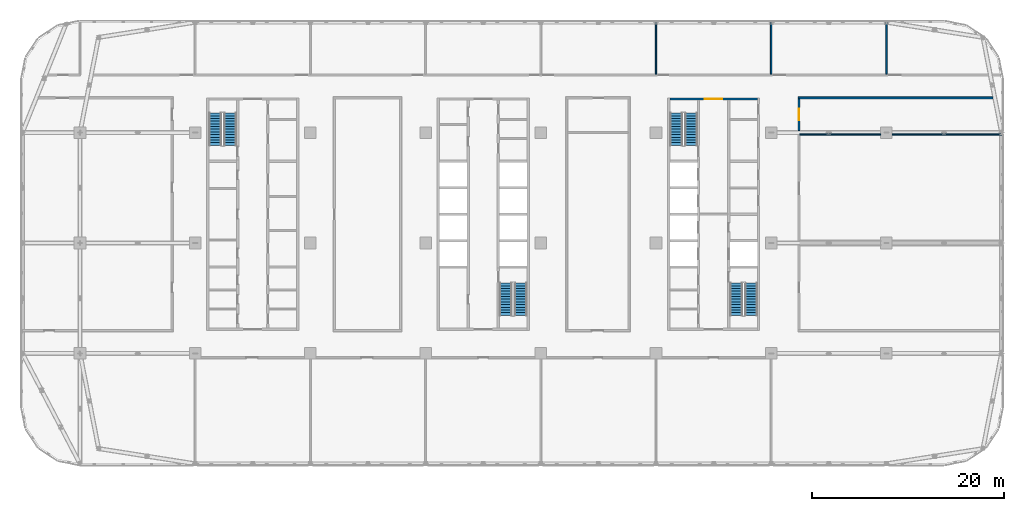
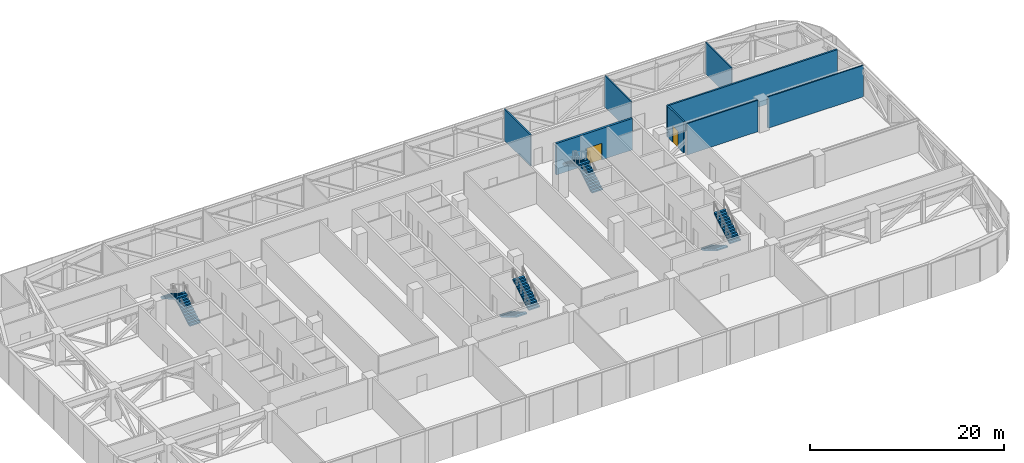
# One storey, part 13 of 26: 8 stair flights, 8 walls, 2 doors, 2 openings, 4 elements without a shape of their own.
"""IFC4 building model written with IfcOpenShell, lengths in metres."""

from ifc_helpers import new_model, si_unit, direction, frame, frame_2d, origin, place, context, subcontext, project, spatial, polyline, rectangle, outline, extrude, material, layer, layer_set, type_object, element, fill, aggregate, save


model = new_model("IFC4")

# Units and contexts
model_context = context("Model", 3, precision=1e-05, world=origin(), true_north=direction((0.0, 1.0)))
body_context = subcontext(model_context, "Body", "Model", "MODEL_VIEW")
ifc_project = project(units=[si_unit("LENGTHUNIT", "METRE"), si_unit("AREAUNIT", "SQUARE_METRE"), si_unit("VOLUMEUNIT", "CUBIC_METRE"), si_unit("PLANEANGLEUNIT", "RADIAN"), si_unit("MASSUNIT", "GRAM", prefix="KILO")], contexts=[model_context])

# Site, building, storey
site_placement = place(None, origin())
site = spatial("IfcSite", under=ifc_project, at=site_placement, CompositionType="ELEMENT")
building_placement = place(site_placement, origin())
building = spatial("IfcBuilding", under=site, at=building_placement, Name="Mahtab Terrace Research Tower", CompositionType="ELEMENT")
storey_placement = place(building_placement, frame((0.0, 0.0, 189.60009765625)))
storey = spatial("IfcBuildingStorey", under=building, at=storey_placement, Name="L45", CompositionType="ELEMENT", Elevation=189.60009765625)

# Wall, opening, door
ifc_material_1 = material(Name="Concrete C70/85", Category="concrete")
ifc_layer_1 = layer(ifc_material_1, 0.25)
ifc_layer_set_1 = layer_set([ifc_layer_1], Name="Core wall 250")
wall_type_1 = type_object("IfcWallType", Name="Core wall 250", PredefinedType="SOLIDWALL", material=ifc_layer_set_1)
wall_1_placement = place(storey_placement, frame((19.449951171875, 15.0, 0.0), z_axis=(0.0, 0.0, 1.0), x_axis=(1.0, 0.0, 0.0)))
wall_1 = element("IfcWall", 1, at=wall_1_placement, inside=storey, type_object=wall_type_1, Name="Core wall C endN", PredefinedType="SOLIDWALL", context=body_context, shape_type="SweptSolid", body=[
    extrude(rectangle(XDim=9.10009765625, YDim=0.25, at=frame_2d((4.550048828125, 0.0))), origin(), (0.0, 0.0, 1.0), 3.9599609375),
])
opening_1_placement = place(wall_1_placement, frame((3.64990234375, 0.0, 0.0)))
opening_1 = element("IfcOpeningElement", 2, at=opening_1_placement, cuts=wall_1, Name="Opening C-N1", PredefinedType="OPENING", context=body_context, shape_type="SweptSolid", body=[
    extrude(rectangle(XDim=1.800048828125, YDim=2.10009765625, at=frame_2d((0.89990234375, 1.050048828125))), frame((0.0, 0.135009765625, 0.0), z_axis=(0.0, -1.0, 0.0), x_axis=(1.0, 0.0, 0.0)), (0.0, 0.0, 1.0), 0.27001953125),
])
ifc_material_2 = material(Name="Steel fire door", Category="steel")
door_type_1 = type_object("IfcDoorType", Name="Lobby double door 1800x2100 1 HR", OperationType="DOUBLE_DOOR_SINGLE_SWING", PredefinedType="DOOR", material=ifc_material_2)
door_1_placement = place(opening_1_placement, origin())
door_1 = element("IfcDoor", 3, at=door_1_placement, inside=storey, type_object=door_type_1, Name="Core entrance door C N", OperationType="DOUBLE_DOOR_SINGLE_SWING", OverallHeight=2.10009765625, OverallWidth=1.800048828125, PredefinedType="DOOR", context=body_context, shape_type="SweptSolid", body=[
    extrude(rectangle(XDim=1.800048828125, YDim=2.10009765625, at=frame_2d((0.89990234375, 1.050048828125))), frame((0.0, 0.02490234375, 0.0), z_axis=(0.0, -1.0, 0.0), x_axis=(1.0, 0.0, 0.0)), (0.0, 0.0, 1.0), 0.050048828125),
])
fill(opening_1, door_1)

# Wall
ifc_material_3 = material(Name="Gypsum board corridor wall on steel studs", Category="steel")
ifc_layer_2 = layer(ifc_material_3, 0.199951171875)
ifc_layer_set_2 = layer_set([ifc_layer_2], Name="WALL CORRIDOR 200")
wall_type_2 = type_object("IfcWallType", Name="WALL CORRIDOR 200", PredefinedType="PARTITIONING", material=ifc_layer_set_2)
wall_2_placement = place(storey_placement, frame((32.800048828125, 15.125, 0.0), z_axis=(0.0, 0.0, 1.0), x_axis=(1.0, 0.0, 0.0)))
element("IfcWall", 4, at=wall_2_placement, inside=storey, type_object=wall_type_2, Name="L45-W022", PredefinedType="PARTITIONING", context=body_context, shape_type="SweptSolid", body=[
    extrude(rectangle(XDim=20.28759765625, YDim=0.199951171875, at=frame_2d((10.143798828125, 0.0))), origin(), (0.0, 0.0, 1.0), 3.9599609375),
])

# Wall, opening, door
wall_3_placement = place(storey_placement, frame((32.89990234375, 11.699951171875, 0.0), z_axis=(0.0, 0.0, 1.0), x_axis=(0.0, 1.0, 0.0)))
wall_3 = element("IfcWall", 5, at=wall_3_placement, inside=storey, type_object=wall_type_2, Name="L45-W047", PredefinedType="PARTITIONING", context=body_context, shape_type="SweptSolid", body=[
    extrude(rectangle(XDim=3.324951171875, YDim=0.199951171875, at=frame_2d((1.66259765625, 0.0))), origin(), (0.0, 0.0, 1.0), 3.9599609375),
])
opening_2_placement = place(wall_3_placement, frame((1.10009765625, 0.0, 0.0)))
opening_2 = element("IfcOpeningElement", 6, at=opening_2_placement, cuts=wall_3, Name="Opening L45-116", PredefinedType="OPENING", context=body_context, shape_type="SweptSolid", body=[
    extrude(rectangle(XDim=1.199951171875, YDim=2.10009765625, at=frame_2d((0.60009765625, 1.050048828125))), frame((0.0, 0.10986328125, 0.0), z_axis=(0.0, -1.0, 0.0), x_axis=(1.0, 0.0, 0.0)), (0.0, 0.0, 1.0), 0.219970703125),
])
ifc_material_4 = material(Name="Timber door leaf in steel frame", Category="steel")
door_type_2 = type_object("IfcDoorType", Name="DOOR 1200X2100 FD30S", OperationType="SINGLE_SWING_LEFT", PredefinedType="DOOR", material=ifc_material_4)
door_2_placement = place(opening_2_placement, origin())
door_2 = element("IfcDoor", 7, at=door_2_placement, inside=storey, type_object=door_type_2, Name="Door L45-116", OperationType="SINGLE_SWING_LEFT", OverallHeight=2.10009765625, OverallWidth=1.199951171875, PredefinedType="DOOR", context=body_context, shape_type="SweptSolid", body=[
    extrude(rectangle(XDim=1.199951171875, YDim=2.10009765625, at=frame_2d((0.60009765625, 1.050048828125))), frame((0.0, 0.02490234375, 0.0), z_axis=(0.0, -1.0, 0.0), x_axis=(1.0, 0.0, 0.0)), (0.0, 0.0, 1.0), 0.050048828125),
])
fill(opening_2, door_2)

# Walls
ifc_material_5 = material(Name="Gypsum board partition on steel studs", Category="steel")
ifc_layer_3 = layer(ifc_material_5, 0.14990234375)
ifc_layer_set_3 = layer_set([ifc_layer_3], Name="WALL PARTITION 150")
wall_type_3 = type_object("IfcWallType", Name="WALL PARTITION 150", PredefinedType="PARTITIONING", material=ifc_layer_set_3)
wall_4_placement = place(storey_placement, frame((32.949951171875, 11.300048828125, 0.0), z_axis=(0.0, 0.0, 1.0), x_axis=(1.0, 0.0, 0.0)))
element("IfcWall", 8, at=wall_4_placement, inside=storey, type_object=wall_type_3, Name="L45-W015", PredefinedType="PARTITIONING", context=body_context, shape_type="SweptSolid", body=[
    extrude(rectangle(XDim=8.449951171875, YDim=0.14990234375, at=frame_2d((4.22509765625, 0.0))), origin(), (0.0, 0.0, 1.0), 3.9599609375),
])
wall_5_placement = place(storey_placement, frame((42.60009765625, 11.300048828125, 0.0), z_axis=(0.0, 0.0, 1.0), x_axis=(1.0, 0.0, 0.0)))
element("IfcWall", 9, at=wall_5_placement, inside=storey, type_object=wall_type_3, Name="L45-W016", PredefinedType="PARTITIONING", context=body_context, shape_type="SweptSolid", body=[
    extrude(rectangle(XDim=11.39990234375, YDim=0.14990234375, at=frame_2d((5.699951171875, 0.0))), origin(), (0.0, 0.0, 1.0), 3.9599609375),
])
for number, where, z_axis, x_axis, name in (
    (10, (18.0, 17.60009765625, 0.0), (0.0, 0.0, 1.0), (0.0, 1.0, 0.0), "L45-W042"),
    (11, (30.0, 17.60009765625, 0.0), (0.0, 0.0, 1.0), (0.0, 1.0, 0.0), "L45-W044"),
    (12, (42.0, 17.60009765625, 0.0), (0.0, 0.0, 1.0), (0.0, 1.0, 0.0), "L45-W048"),
):
    element("IfcWall", number, at=place(storey_placement, frame(where, z_axis=z_axis, x_axis=x_axis)), inside=storey, type_object=wall_type_3, Name=name, PredefinedType="PARTITIONING", context=body_context, shape_type="SweptSolid", body=[
        extrude(rectangle(XDim=5.39990234375, YDim=0.14990234375, at=frame_2d((2.699951171875, 0.0))), origin(), (0.0, 0.0, 1.0), 3.9599609375),
    ])

# Stair, stair flights
ifc_material_6 = material(Name="Exit stair half-turn")
stair_type = type_object("IfcStairType", Name="Exit stair half-turn", PredefinedType="HALF_TURN_STAIR", material=ifc_material_6)
stair_1_placement = place(storey_placement, origin())
stair_1 = element("IfcStair", 13, at=stair_1_placement, inside=storey, type_object=stair_type, Name="L45 Protected exit stair ST1", PredefinedType="HALF_TURN_STAIR")
ifc_material_7 = material(Name="Concrete C40/50", Category="concrete")
stair_flight_type = type_object("IfcStairFlightType", Name="Exit stair flight 1300", PredefinedType="STRAIGHT", material=ifc_material_7)
stair_flight_1_placement = place(storey_placement, frame((-26.35009765625, 10.175048828125, 0.0), z_axis=(0.0, 0.0, 1.0), x_axis=(0.0, 1.0, 0.0)))
stair_flight_1 = element("IfcStairFlight", 14, at=stair_flight_1_placement, type_object=stair_flight_type, Name="ST1 flight 1", NumberOfRisers=13, NumberOfTreads=12, PredefinedType="STRAIGHT", RiserHeight=0.165384615, TreadLength=0.28, context=body_context, shape_type="SweptSolid", body=[
    extrude(outline(polyline([(0.0, 0.0), (0.0, 0.165283203125), (0.280029296875, 0.165283203125), (0.280029296875, 0.330810546875), (0.56005859375, 0.330810546875), (0.56005859375, 0.49609375), (0.840087890625, 0.49609375), (0.840087890625, 0.66162109375), (1.1201171875, 0.66162109375), (1.1201171875, 0.826904296875), (1.39990234375, 0.826904296875), (1.39990234375, 0.9921875), (1.679931640625, 0.9921875), (1.679931640625, 1.15771484375), (1.9599609375, 1.15771484375), (1.9599609375, 1.322998046875), (2.239990234375, 1.322998046875), (2.239990234375, 1.488525390625), (2.52001953125, 1.488525390625), (2.52001953125, 1.65380859375), (2.800048828125, 1.65380859375), (2.800048828125, 1.8193359375), (3.080078125, 1.8193359375), (3.080078125, 1.984619140625), (3.360107421875, 1.984619140625), (3.360107421875, 2.14990234375), (3.360107421875, 1.810546875), (0.294677734375, 0.0), (0.0, 0.0)])), frame((0.0, 0.64990234375, 0.0), z_axis=(0.0, -1.0, 0.0), x_axis=(1.0, 0.0, 0.0)), (0.0, 0.0, 1.0), 1.300048828125),
])
stair_flight_2_placement = place(storey_placement, frame((-27.89990234375, 13.534912109375, 2.14990234375), z_axis=(0.0, 0.0, 1.0), x_axis=(0.0, -1.0, 0.0)))
stair_flight_2 = element("IfcStairFlight", 15, at=stair_flight_2_placement, type_object=stair_flight_type, Name="ST1 flight 2", NumberOfRisers=13, NumberOfTreads=12, PredefinedType="STRAIGHT", RiserHeight=0.165384615, TreadLength=0.28, context=body_context, shape_type="SweptSolid", body=[
    extrude(outline(polyline([(0.0, 0.0), (0.0, 0.165283203125), (0.280029296875, 0.165283203125), (0.280029296875, 0.330810546875), (0.56005859375, 0.330810546875), (0.56005859375, 0.49609375), (0.840087890625, 0.49609375), (0.840087890625, 0.66162109375), (1.1201171875, 0.66162109375), (1.1201171875, 0.826904296875), (1.39990234375, 0.826904296875), (1.39990234375, 0.9921875), (1.679931640625, 0.9921875), (1.679931640625, 1.15771484375), (1.9599609375, 1.15771484375), (1.9599609375, 1.322998046875), (2.239990234375, 1.322998046875), (2.239990234375, 1.488525390625), (2.52001953125, 1.488525390625), (2.52001953125, 1.65380859375), (2.800048828125, 1.65380859375), (2.800048828125, 1.8193359375), (3.080078125, 1.8193359375), (3.080078125, 1.984619140625), (3.360107421875, 1.984619140625), (3.360107421875, 2.14990234375), (3.360107421875, 1.810546875), (0.294677734375, 0.0), (0.0, 0.0)])), frame((0.0, 0.64990234375, 0.0), z_axis=(0.0, -1.0, 0.0), x_axis=(1.0, 0.0, 0.0)), (0.0, 0.0, 1.0), 1.300048828125),
])
aggregate(stair_1, [stair_flight_1, stair_flight_2])

stair_2_placement = place(storey_placement, origin())
stair_2 = element("IfcStair", 16, at=stair_2_placement, inside=storey, type_object=stair_type, Name="L45 Protected exit stair ST2", PredefinedType="HALF_TURN_STAIR")
stair_flight_3_placement = place(storey_placement, frame((2.35009765625, -4.175048828125, 0.0), z_axis=(0.0, 0.0, 1.0), x_axis=(0.0, -1.0, 0.0)))
stair_flight_3 = element("IfcStairFlight", 17, at=stair_flight_3_placement, type_object=stair_flight_type, Name="ST2 flight 1", NumberOfRisers=13, NumberOfTreads=12, PredefinedType="STRAIGHT", RiserHeight=0.165384615, TreadLength=0.28, context=body_context, shape_type="SweptSolid", body=[
    extrude(outline(polyline([(0.0, 0.0), (0.0, 0.165283203125), (0.280029296875, 0.165283203125), (0.280029296875, 0.330810546875), (0.56005859375, 0.330810546875), (0.56005859375, 0.49609375), (0.840087890625, 0.49609375), (0.840087890625, 0.66162109375), (1.1201171875, 0.66162109375), (1.1201171875, 0.826904296875), (1.39990234375, 0.826904296875), (1.39990234375, 0.9921875), (1.679931640625, 0.9921875), (1.679931640625, 1.15771484375), (1.9599609375, 1.15771484375), (1.9599609375, 1.322998046875), (2.239990234375, 1.322998046875), (2.239990234375, 1.488525390625), (2.52001953125, 1.488525390625), (2.52001953125, 1.65380859375), (2.800048828125, 1.65380859375), (2.800048828125, 1.8193359375), (3.080078125, 1.8193359375), (3.080078125, 1.984619140625), (3.360107421875, 1.984619140625), (3.360107421875, 2.14990234375), (3.360107421875, 1.810546875), (0.294677734375, 0.0), (0.0, 0.0)])), frame((0.0, 0.64990234375, 0.0), z_axis=(0.0, -1.0, 0.0), x_axis=(1.0, 0.0, 0.0)), (0.0, 0.0, 1.0), 1.300048828125),
])
stair_flight_4_placement = place(storey_placement, frame((3.89990234375, -7.534912109375, 2.14990234375), z_axis=(0.0, 0.0, 1.0), x_axis=(0.0, 1.0, 0.0)))
stair_flight_4 = element("IfcStairFlight", 18, at=stair_flight_4_placement, type_object=stair_flight_type, Name="ST2 flight 2", NumberOfRisers=13, NumberOfTreads=12, PredefinedType="STRAIGHT", RiserHeight=0.165384615, TreadLength=0.28, context=body_context, shape_type="SweptSolid", body=[
    extrude(outline(polyline([(0.0, 0.0), (0.0, 0.165283203125), (0.280029296875, 0.165283203125), (0.280029296875, 0.330810546875), (0.56005859375, 0.330810546875), (0.56005859375, 0.49609375), (0.840087890625, 0.49609375), (0.840087890625, 0.66162109375), (1.1201171875, 0.66162109375), (1.1201171875, 0.826904296875), (1.39990234375, 0.826904296875), (1.39990234375, 0.9921875), (1.679931640625, 0.9921875), (1.679931640625, 1.15771484375), (1.9599609375, 1.15771484375), (1.9599609375, 1.322998046875), (2.239990234375, 1.322998046875), (2.239990234375, 1.488525390625), (2.52001953125, 1.488525390625), (2.52001953125, 1.65380859375), (2.800048828125, 1.65380859375), (2.800048828125, 1.8193359375), (3.080078125, 1.8193359375), (3.080078125, 1.984619140625), (3.360107421875, 1.984619140625), (3.360107421875, 2.14990234375), (3.360107421875, 1.810546875), (0.294677734375, 0.0), (0.0, 0.0)])), frame((0.0, 0.64990234375, 0.0), z_axis=(0.0, -1.0, 0.0), x_axis=(1.0, 0.0, 0.0)), (0.0, 0.0, 1.0), 1.300048828125),
])
aggregate(stair_2, [stair_flight_3, stair_flight_4])

stair_3_placement = place(storey_placement, origin())
stair_3 = element("IfcStair", 19, at=stair_3_placement, inside=storey, type_object=stair_type, Name="L45 Protected exit stair ST3", PredefinedType="HALF_TURN_STAIR")
stair_flight_5_placement = place(storey_placement, frame((21.64990234375, 10.175048828125, 0.0), z_axis=(0.0, 0.0, 1.0), x_axis=(0.0, 1.0, 0.0)))
stair_flight_5 = element("IfcStairFlight", 20, at=stair_flight_5_placement, type_object=stair_flight_type, Name="ST3 flight 1", NumberOfRisers=13, NumberOfTreads=12, PredefinedType="STRAIGHT", RiserHeight=0.165384615, TreadLength=0.28, context=body_context, shape_type="SweptSolid", body=[
    extrude(outline(polyline([(0.0, 0.0), (0.0, 0.165283203125), (0.280029296875, 0.165283203125), (0.280029296875, 0.330810546875), (0.56005859375, 0.330810546875), (0.56005859375, 0.49609375), (0.840087890625, 0.49609375), (0.840087890625, 0.66162109375), (1.1201171875, 0.66162109375), (1.1201171875, 0.826904296875), (1.39990234375, 0.826904296875), (1.39990234375, 0.9921875), (1.679931640625, 0.9921875), (1.679931640625, 1.15771484375), (1.9599609375, 1.15771484375), (1.9599609375, 1.322998046875), (2.239990234375, 1.322998046875), (2.239990234375, 1.488525390625), (2.52001953125, 1.488525390625), (2.52001953125, 1.65380859375), (2.800048828125, 1.65380859375), (2.800048828125, 1.8193359375), (3.080078125, 1.8193359375), (3.080078125, 1.984619140625), (3.360107421875, 1.984619140625), (3.360107421875, 2.14990234375), (3.360107421875, 1.810546875), (0.294677734375, 0.0), (0.0, 0.0)])), frame((0.0, 0.64990234375, 0.0), z_axis=(0.0, -1.0, 0.0), x_axis=(1.0, 0.0, 0.0)), (0.0, 0.0, 1.0), 1.300048828125),
])
stair_flight_6_placement = place(storey_placement, frame((20.10009765625, 13.534912109375, 2.14990234375), z_axis=(0.0, 0.0, 1.0), x_axis=(0.0, -1.0, 0.0)))
stair_flight_6 = element("IfcStairFlight", 21, at=stair_flight_6_placement, type_object=stair_flight_type, Name="ST3 flight 2", NumberOfRisers=13, NumberOfTreads=12, PredefinedType="STRAIGHT", RiserHeight=0.165384615, TreadLength=0.28, context=body_context, shape_type="SweptSolid", body=[
    extrude(outline(polyline([(0.0, 0.0), (0.0, 0.165283203125), (0.280029296875, 0.165283203125), (0.280029296875, 0.330810546875), (0.56005859375, 0.330810546875), (0.56005859375, 0.49609375), (0.840087890625, 0.49609375), (0.840087890625, 0.66162109375), (1.1201171875, 0.66162109375), (1.1201171875, 0.826904296875), (1.39990234375, 0.826904296875), (1.39990234375, 0.9921875), (1.679931640625, 0.9921875), (1.679931640625, 1.15771484375), (1.9599609375, 1.15771484375), (1.9599609375, 1.322998046875), (2.239990234375, 1.322998046875), (2.239990234375, 1.488525390625), (2.52001953125, 1.488525390625), (2.52001953125, 1.65380859375), (2.800048828125, 1.65380859375), (2.800048828125, 1.8193359375), (3.080078125, 1.8193359375), (3.080078125, 1.984619140625), (3.360107421875, 1.984619140625), (3.360107421875, 2.14990234375), (3.360107421875, 1.810546875), (0.294677734375, 0.0), (0.0, 0.0)])), frame((0.0, 0.64990234375, 0.0), z_axis=(0.0, -1.0, 0.0), x_axis=(1.0, 0.0, 0.0)), (0.0, 0.0, 1.0), 1.300048828125),
])
aggregate(stair_3, [stair_flight_5, stair_flight_6])

stair_4_placement = place(storey_placement, origin())
stair_4 = element("IfcStair", 22, at=stair_4_placement, inside=storey, type_object=stair_type, Name="L45 Protected exit stair ST4", PredefinedType="HALF_TURN_STAIR")
stair_flight_7_placement = place(storey_placement, frame((26.35009765625, -4.175048828125, 0.0), z_axis=(0.0, 0.0, 1.0), x_axis=(0.0, -1.0, 0.0)))
stair_flight_7 = element("IfcStairFlight", 23, at=stair_flight_7_placement, type_object=stair_flight_type, Name="ST4 flight 1", NumberOfRisers=13, NumberOfTreads=12, PredefinedType="STRAIGHT", RiserHeight=0.165384615, TreadLength=0.28, context=body_context, shape_type="SweptSolid", body=[
    extrude(outline(polyline([(0.0, 0.0), (0.0, 0.165283203125), (0.280029296875, 0.165283203125), (0.280029296875, 0.330810546875), (0.56005859375, 0.330810546875), (0.56005859375, 0.49609375), (0.840087890625, 0.49609375), (0.840087890625, 0.66162109375), (1.1201171875, 0.66162109375), (1.1201171875, 0.826904296875), (1.39990234375, 0.826904296875), (1.39990234375, 0.9921875), (1.679931640625, 0.9921875), (1.679931640625, 1.15771484375), (1.9599609375, 1.15771484375), (1.9599609375, 1.322998046875), (2.239990234375, 1.322998046875), (2.239990234375, 1.488525390625), (2.52001953125, 1.488525390625), (2.52001953125, 1.65380859375), (2.800048828125, 1.65380859375), (2.800048828125, 1.8193359375), (3.080078125, 1.8193359375), (3.080078125, 1.984619140625), (3.360107421875, 1.984619140625), (3.360107421875, 2.14990234375), (3.360107421875, 1.810546875), (0.294677734375, 0.0), (0.0, 0.0)])), frame((0.0, 0.64990234375, 0.0), z_axis=(0.0, -1.0, 0.0), x_axis=(1.0, 0.0, 0.0)), (0.0, 0.0, 1.0), 1.300048828125),
])
stair_flight_8_placement = place(storey_placement, frame((27.89990234375, -7.534912109375, 2.14990234375), z_axis=(0.0, 0.0, 1.0), x_axis=(0.0, 1.0, 0.0)))
stair_flight_8 = element("IfcStairFlight", 24, at=stair_flight_8_placement, type_object=stair_flight_type, Name="ST4 flight 2", NumberOfRisers=13, NumberOfTreads=12, PredefinedType="STRAIGHT", RiserHeight=0.165384615, TreadLength=0.28, context=body_context, shape_type="SweptSolid", body=[
    extrude(outline(polyline([(0.0, 0.0), (0.0, 0.165283203125), (0.280029296875, 0.165283203125), (0.280029296875, 0.330810546875), (0.56005859375, 0.330810546875), (0.56005859375, 0.49609375), (0.840087890625, 0.49609375), (0.840087890625, 0.66162109375), (1.1201171875, 0.66162109375), (1.1201171875, 0.826904296875), (1.39990234375, 0.826904296875), (1.39990234375, 0.9921875), (1.679931640625, 0.9921875), (1.679931640625, 1.15771484375), (1.9599609375, 1.15771484375), (1.9599609375, 1.322998046875), (2.239990234375, 1.322998046875), (2.239990234375, 1.488525390625), (2.52001953125, 1.488525390625), (2.52001953125, 1.65380859375), (2.800048828125, 1.65380859375), (2.800048828125, 1.8193359375), (3.080078125, 1.8193359375), (3.080078125, 1.984619140625), (3.360107421875, 1.984619140625), (3.360107421875, 2.14990234375), (3.360107421875, 1.810546875), (0.294677734375, 0.0), (0.0, 0.0)])), frame((0.0, 0.64990234375, 0.0), z_axis=(0.0, -1.0, 0.0), x_axis=(1.0, 0.0, 0.0)), (0.0, 0.0, 1.0), 1.300048828125),
])
aggregate(stair_4, [stair_flight_7, stair_flight_8])

save(model, "model.ifc")
